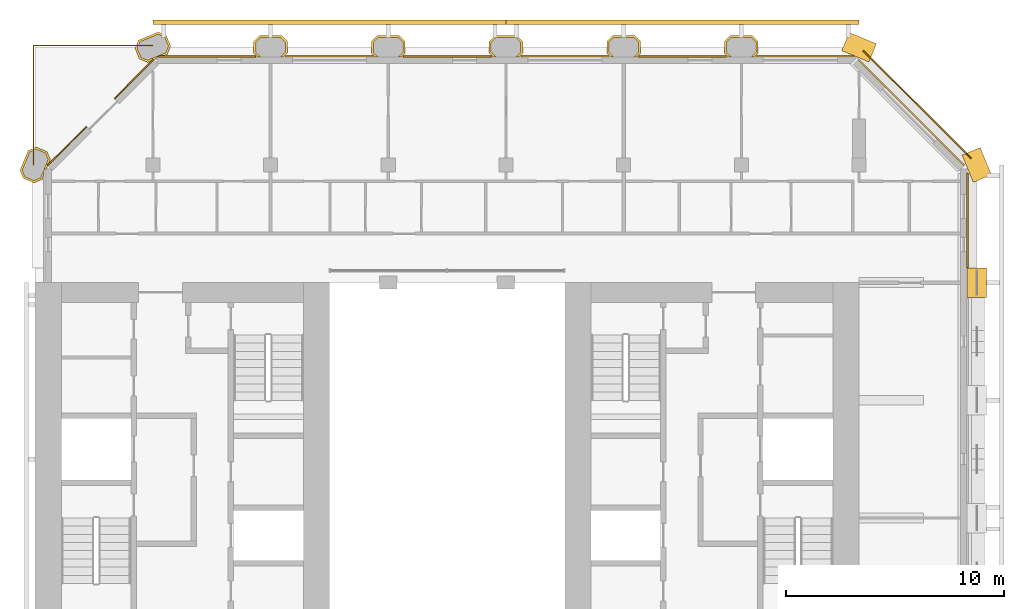
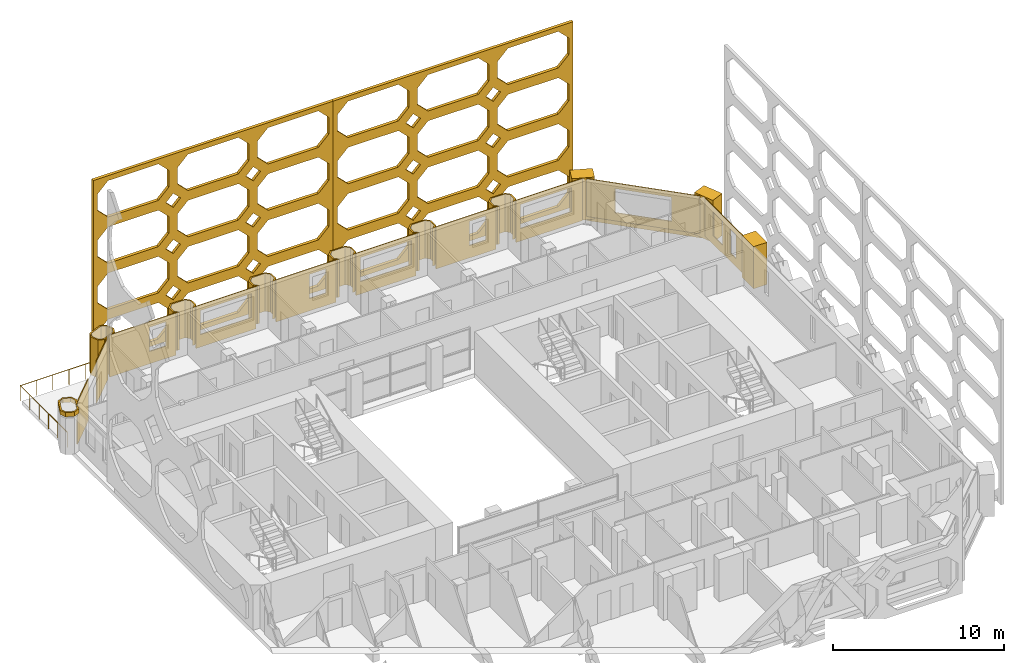
# One storey, part 15 of 15: 23 coverings, 1 railing.
"""IFC4 building model written with IfcOpenShell, lengths in metres."""

from ifc_helpers import new_model, si_unit, direction, frame, frame_2d, origin, origin_2d, place, context, subcontext, project, spatial, polyline, rectangle, circle, outline, extrude, material, layer, layer_set, type_object, element, save


model = new_model("IFC4")

# Units and contexts
model_context = context("Model", 3, precision=1e-05, world=origin(), true_north=direction((0.0, 1.0)))
body_context = subcontext(model_context, "Body", "Model", "MODEL_VIEW")
ifc_project = project(units=[si_unit("LENGTHUNIT", "METRE"), si_unit("AREAUNIT", "SQUARE_METRE"), si_unit("VOLUMEUNIT", "CUBIC_METRE"), si_unit("PLANEANGLEUNIT", "RADIAN"), si_unit("MASSUNIT", "GRAM", prefix="KILO")], contexts=[model_context])

# Site, building, storey
site_placement = place(None, origin())
site = spatial("IfcSite", under=ifc_project, at=site_placement, CompositionType="ELEMENT")
building_placement = place(site_placement, origin())
building = spatial("IfcBuilding", under=site, at=building_placement, Name="Tabaq Tower and Sports Hall", CompositionType="ELEMENT")
storey_placement = place(building_placement, frame((0.0, 0.0, 265.300048828125)))
storey = spatial("IfcBuildingStorey", under=building, at=storey_placement, Name="L64", CompositionType="ELEMENT", Elevation=265.300048828125)

# Coverings
ifc_material_1 = material(Name="Precast concrete C60/75", Category="concrete")
ifc_layer_1 = layer(ifc_material_1, 0.10009765625)
ifc_layer_set_1 = layer_set([ifc_layer_1], Name="Column cladding 100")
covering_type_1 = type_object("IfcCoveringType", Name="Column cladding 100", PredefinedType="CLADDING", material=ifc_layer_set_1)
covering_1_placement = place(storey_placement, frame((0.0, 0.0, 2.699951171875)))
element("IfcCovering", 1, at=covering_1_placement, inside=storey, type_object=covering_type_1, Name="Column cladding L64 PC-2H-R1 2", PredefinedType="CLADDING", context=body_context, shape_type="SweptSolid", body=[
    extrude(outline(polyline([(4.857421875, 37.186279296875), (4.7041015625, 37.556396484375), (5.080078125, 38.46435546875), (5.27978515625, 38.546875), (5.27978515625, 38.439208984375), (5.15625, 38.38818359375), (4.811767578125, 37.556396484375), (4.93359375, 37.26220703125), (5.349609375, 37.08984375), (5.643798828125, 37.2119140625), (5.98828125, 38.04345703125), (5.866455078125, 38.337646484375), (5.450439453125, 38.510009765625), (5.3603515625, 38.47265625), (5.3603515625, 38.580322265625), (5.450439453125, 38.61767578125), (5.9423828125, 38.413818359375), (6.095947265625, 38.04345703125), (6.026123046875, 37.875), (5.9501953125, 37.799072265625), (5.9501953125, 37.798828125), (5.9814453125, 37.767578125), (5.91796875, 37.614013671875), (5.849609375, 37.614013671875), (5.849609375, 37.55712890625), (5.789794921875, 37.55712890625), (5.789794921875, 37.304443359375), (5.7197265625, 37.1357421875), (5.349609375, 36.982421875), (4.857421875, 37.186279296875)])), origin(), (0.0, 0.0, 1.0), 0.300048828125),
])
covering_2_placement = place(storey_placement, frame((0.0, 0.0, 0.300048828125)))
element("IfcCovering", 2, at=covering_2_placement, inside=storey, type_object=covering_type_1, Name="Column cladding L64 PC-3I-R1", PredefinedType="CLADDING", context=body_context, shape_type="SweptSolid", body=[
    extrude(outline(polyline([(9.982421875, 43.149658203125), (10.019775390625, 43.23974609375), (10.127197265625, 43.23974609375), (10.08984375, 43.149658203125), (10.26220703125, 42.733642578125), (10.556396484375, 42.61181640625), (11.38818359375, 42.956298828125), (11.510009765625, 43.25048828125), (11.337646484375, 43.66650390625), (11.04345703125, 43.788330078125), (10.2119140625, 43.44384765625), (10.16064453125, 43.3203125), (10.052978515625, 43.3203125), (10.1357421875, 43.519775390625), (11.04345703125, 43.895751953125), (11.413818359375, 43.742431640625), (11.61767578125, 43.25048828125), (11.46435546875, 42.880126953125), (11.295654296875, 42.810302734375), (11.04296875, 42.810302734375), (11.04296875, 42.750244140625), (10.986083984375, 42.750244140625), (10.986083984375, 42.68212890625), (10.83251953125, 42.618408203125), (10.80126953125, 42.649658203125), (10.801025390625, 42.64990234375), (10.72509765625, 42.573974609375), (10.556396484375, 42.504150390625), (10.186279296875, 42.657470703125), (9.982421875, 43.149658203125)])), origin(), (0.0, 0.0, 1.0), 2.699951171875),
])
covering_3_placement = place(storey_placement, frame((0.0, 0.0, 0.300048828125)))
element("IfcCovering", 3, at=covering_3_placement, inside=storey, type_object=covering_type_1, Name="Column cladding L64 PC-4I-R1", PredefinedType="CLADDING", context=body_context, shape_type="SweptSolid", body=[
    extrude(outline(polyline([(15.42529296875, 43.46630859375), (15.708740234375, 43.749755859375), (16.69140625, 43.749755859375), (16.974609375, 43.46630859375), (16.974609375, 42.93359375), (16.791259765625, 42.750244140625), (16.650634765625, 42.750244140625), (16.875244140625, 42.974853515625), (16.875244140625, 43.425048828125), (16.650146484375, 43.650390625), (15.749755859375, 43.650390625), (15.524658203125, 43.425048828125), (15.524658203125, 42.974853515625), (15.749267578125, 42.750244140625), (15.608642578125, 42.750244140625), (15.42529296875, 42.93359375), (15.42529296875, 43.46630859375)])), origin(), (0.0, 0.0, 1.0), 2.699951171875),
])
covering_4_placement = place(storey_placement, frame((0.0, 0.0, 0.300048828125)))
element("IfcCovering", 4, at=covering_4_placement, inside=storey, type_object=covering_type_1, Name="Column cladding L64 PC-5I-R1", PredefinedType="CLADDING", context=body_context, shape_type="SweptSolid", body=[
    extrude(outline(polyline([(20.8251953125, 43.46630859375), (21.108642578125, 43.749755859375), (22.09130859375, 43.749755859375), (22.374755859375, 43.46630859375), (22.374755859375, 42.93359375), (22.19140625, 42.750244140625), (22.05078125, 42.750244140625), (22.275390625, 42.974853515625), (22.275390625, 43.425048828125), (22.050048828125, 43.650390625), (21.14990234375, 43.650390625), (20.9248046875, 43.425048828125), (20.9248046875, 42.974853515625), (21.149169921875, 42.750244140625), (21.0087890625, 42.750244140625), (20.8251953125, 42.93359375), (20.8251953125, 43.46630859375)])), origin(), (0.0, 0.0, 1.0), 2.699951171875),
])
covering_5_placement = place(storey_placement, frame((0.0, 0.0, 0.300048828125)))
element("IfcCovering", 5, at=covering_5_placement, inside=storey, type_object=covering_type_1, Name="Column cladding L64 PC-6I-R1", PredefinedType="CLADDING", context=body_context, shape_type="SweptSolid", body=[
    extrude(outline(polyline([(26.225341796875, 43.46630859375), (26.5087890625, 43.749755859375), (27.4912109375, 43.749755859375), (27.774658203125, 43.46630859375), (27.774658203125, 42.93359375), (27.59130859375, 42.750244140625), (27.45068359375, 42.750244140625), (27.67529296875, 42.974853515625), (27.67529296875, 43.425048828125), (27.4501953125, 43.650390625), (26.5498046875, 43.650390625), (26.32470703125, 43.425048828125), (26.32470703125, 42.974853515625), (26.54931640625, 42.750244140625), (26.40869140625, 42.750244140625), (26.225341796875, 42.93359375), (26.225341796875, 43.46630859375)])), origin(), (0.0, 0.0, 1.0), 2.699951171875),
])
covering_6_placement = place(storey_placement, frame((0.0, 0.0, 0.300048828125)))
element("IfcCovering", 6, at=covering_6_placement, inside=storey, type_object=covering_type_1, Name="Column cladding L64 PC-7I-R1", PredefinedType="CLADDING", context=body_context, shape_type="SweptSolid", body=[
    extrude(outline(polyline([(31.625244140625, 43.46630859375), (31.90869140625, 43.749755859375), (32.891357421875, 43.749755859375), (33.1748046875, 43.46630859375), (33.1748046875, 42.93359375), (32.9912109375, 42.750244140625), (32.850830078125, 42.750244140625), (33.0751953125, 42.974853515625), (33.0751953125, 43.425048828125), (32.85009765625, 43.650390625), (31.949951171875, 43.650390625), (31.724609375, 43.425048828125), (31.724609375, 42.974853515625), (31.94921875, 42.750244140625), (31.80859375, 42.750244140625), (31.625244140625, 42.93359375), (31.625244140625, 43.46630859375)])), origin(), (0.0, 0.0, 1.0), 2.699951171875),
])
covering_7_placement = place(storey_placement, frame((0.0, 0.0, 0.300048828125)))
element("IfcCovering", 7, at=covering_7_placement, inside=storey, type_object=covering_type_1, Name="Column cladding L64 PC-8I-R1", PredefinedType="CLADDING", context=body_context, shape_type="SweptSolid", body=[
    extrude(outline(polyline([(37.025390625, 43.46630859375), (37.30859375, 43.749755859375), (38.291259765625, 43.749755859375), (38.57470703125, 43.46630859375), (38.57470703125, 42.93359375), (38.391357421875, 42.750244140625), (38.250732421875, 42.750244140625), (38.475341796875, 42.974853515625), (38.475341796875, 43.425048828125), (38.250244140625, 43.650390625), (37.349853515625, 43.650390625), (37.124755859375, 43.425048828125), (37.124755859375, 42.974853515625), (37.349365234375, 42.750244140625), (37.208740234375, 42.750244140625), (37.025390625, 42.93359375), (37.025390625, 43.46630859375)])), origin(), (0.0, 0.0, 1.0), 2.699951171875),
])
ifc_material_2 = material(Name="Precast concrete C60/75", Category="concrete")
ifc_layer_2 = layer(ifc_material_2, 0.06005859375)
ifc_layer_set_2 = layer_set([ifc_layer_2], Name="Edge beam cladding 60")
covering_type_2 = type_object("IfcCoveringType", Name="Edge beam cladding 60", PredefinedType="CLADDING", material=ifc_layer_set_2)
covering_8_placement = place(storey_placement, frame((48.3369140625, 38.10546875, -0.300048828125), z_axis=(0.0, 0.0, 1.0), x_axis=(-0.707106781187, 0.707106781187, 0.0)))
element("IfcCovering", 8, at=covering_8_placement, inside=storey, type_object=covering_type_2, Name="Edge beam cladding L64 5", PredefinedType="CLADDING", context=body_context, shape_type="SweptSolid", body=[
    extrude(rectangle(XDim=6.98486328125, YDim=0.06005859375, at=frame_2d((3.492431640625, 0.0))), origin(), (0.0, 0.0, 1.0), 0.300048828125),
])

# Railing
ifc_material_3 = material(Name="Stainless steel S316 and laminated glass", Category="steel")
railing_type = type_object("IfcRailingType", Name="Guard 1100 steel and glass", PredefinedType="GUARDRAIL", material=ifc_material_3)
railing_placement = place(storey_placement, frame((5.320068359375, 37.800048828125, 0.0)))
element("IfcRailing", 9, at=railing_placement, inside=storey, type_object=railing_type, Name="Terrace guard L64", PredefinedType="GUARDRAIL", context=body_context, shape_type="SweptSolid", body=[
    extrude(circle(Radius=0.02490234375, at=origin_2d()), frame((0.0, 0.0, 1.0751953125), z_axis=(0.0, 1.0, 0.0), x_axis=(-1.0, 0.0, 0.0)), (0.0, 0.0, 1.0), 5.47998046875),
    extrude(circle(Radius=0.02490234375, at=origin_2d()), frame((0.0, 5.47998046875, 1.0751953125), z_axis=(1.0, 0.0, 0.0), x_axis=(0.0, 1.0, 0.0)), (0.0, 0.0, 1.0), 5.47998046875),
    extrude(circle(Radius=0.02001953125, at=origin_2d()), origin(), (0.0, 0.0, 1.0), 1.050048828125),
    extrude(circle(Radius=0.02001953125, at=origin_2d()), frame((0.0, 1.095947265625, 0.0)), (0.0, 0.0, 1.0), 1.050048828125),
    extrude(circle(Radius=0.02001953125, at=origin_2d()), frame((0.0, 2.19189453125, 0.0)), (0.0, 0.0, 1.0), 1.050048828125),
    extrude(circle(Radius=0.02001953125, at=origin_2d()), frame((0.0, 3.2880859375, 0.0)), (0.0, 0.0, 1.0), 1.050048828125),
    extrude(circle(Radius=0.02001953125, at=origin_2d()), frame((0.0, 4.384033203125, 0.0)), (0.0, 0.0, 1.0), 1.050048828125),
    extrude(circle(Radius=0.02001953125, at=origin_2d()), frame((0.0, 5.47998046875, 0.0)), (0.0, 0.0, 1.0), 1.050048828125),
    extrude(circle(Radius=0.02001953125, at=origin_2d()), frame((1.095947265625, 5.47998046875, 0.0)), (0.0, 0.0, 1.0), 1.050048828125),
    extrude(circle(Radius=0.02001953125, at=origin_2d()), frame((2.19189453125, 5.47998046875, 0.0)), (0.0, 0.0, 1.0), 1.050048828125),
    extrude(circle(Radius=0.02001953125, at=origin_2d()), frame((3.2880859375, 5.47998046875, 0.0)), (0.0, 0.0, 1.0), 1.050048828125),
    extrude(circle(Radius=0.02001953125, at=origin_2d()), frame((4.384033203125, 5.47998046875, 0.0)), (0.0, 0.0, 1.0), 1.050048828125),
    extrude(circle(Radius=0.02001953125, at=origin_2d()), frame((5.47998046875, 5.47998046875, 0.0)), (0.0, 0.0, 1.0), 1.050048828125),
])

# Coverings
ifc_material_4 = material(Name="White precast concrete C60/75", Category="concrete")
covering_type_3 = type_object("IfcCoveringType", Name="Pier cladding hung 1350x900", PredefinedType="CLADDING", material=ifc_material_4)
covering_9_placement = place(storey_placement, frame((43.82373046875, 42.941650390625, 0.0), z_axis=(0.0, 0.0, 1.0), x_axis=(-0.923893411637, 0.382649923473, 0.0)))
element("IfcCovering", 10, at=covering_9_placement, inside=storey, type_object=covering_type_3, Name="Hung pier cladding 8/8", PredefinedType="CLADDING", context=body_context, shape_type="SweptSolid", body=[
    extrude(rectangle(XDim=1.35009765625, YDim=0.89990234375, at=frame_2d((0.675048828125, 0.0))), origin(), (0.0, 0.0, 1.0), 3.0),
])
covering_10_placement = place(storey_placement, frame((48.60009765625, 31.72509765625, 0.0), z_axis=(0.0, 0.0, 1.0), x_axis=(0.0, 1.0, 0.0)))
element("IfcCovering", 11, at=covering_10_placement, inside=storey, type_object=covering_type_3, Name="Hung pier cladding 9/6", PredefinedType="CLADDING", context=body_context, shape_type="SweptSolid", body=[
    extrude(rectangle(XDim=1.349853515625, YDim=0.89990234375, at=frame_2d((0.6748046875, 0.0))), origin(), (0.0, 0.0, 1.0), 3.0),
])
covering_11_placement = place(storey_placement, frame((48.8583984375, 37.17626953125, 0.0), z_axis=(0.0, 0.0, 1.0), x_axis=(-0.382649923473, 0.923893411637, 0.0)))
element("IfcCovering", 12, at=covering_11_placement, inside=storey, type_object=covering_type_3, Name="Hung pier cladding 9/7", PredefinedType="CLADDING", context=body_context, shape_type="SweptSolid", body=[
    extrude(rectangle(XDim=1.35009765625, YDim=0.89990234375, at=frame_2d((0.675048828125, 0.0))), origin(), (0.0, 0.0, 1.0), 3.0),
])
ifc_material_5 = material(Name="White precast concrete C60/75 pierced screen", Category="concrete")
ifc_layer_3 = layer(ifc_material_5, 0.199951171875)
ifc_layer_set_3 = layer_set([ifc_layer_3], Name="TRACERY SCREEN 200 C60/75")
covering_type_4 = type_object("IfcCoveringType", Name="TRACERY SCREEN 200 C60/75", PredefinedType="CLADDING", material=ifc_layer_set_3)
covering_12_placement = place(storey_placement, frame((43.199951171875, 44.35009765625, 0.0), z_axis=(0.0, 0.0, 1.0), x_axis=(-1.0, 0.0, 0.0)))
element("IfcCovering", 13, at=covering_12_placement, inside=storey, type_object=covering_type_4, Name="Tracery screen R1 N L64-L67", PredefinedType="CLADDING", context=body_context, shape_type="SweptSolid", body=[
    extrude(outline(polyline([(0.0, 0.0), (16.199951171875, 0.0), (16.199951171875, 13.199951171875), (0.0, 13.199951171875), (0.0, 0.0)]), holes=[polyline([(1.0, 0.349853515625), (4.39990234375, 0.349853515625), (5.10009765625, 1.050048828125), (5.10009765625, 2.25), (4.39990234375, 2.949951171875), (1.0, 2.949951171875), (0.300048828125, 2.25), (0.300048828125, 1.050048828125), (1.0, 0.349853515625)]), polyline([(6.39990234375, 0.349853515625), (9.800048828125, 0.349853515625), (10.5, 1.050048828125), (10.5, 2.25), (9.800048828125, 2.949951171875), (6.39990234375, 2.949951171875), (5.699951171875, 2.25), (5.699951171875, 1.050048828125), (6.39990234375, 0.349853515625)]), polyline([(11.800048828125, 0.349853515625), (15.199951171875, 0.349853515625), (15.89990234375, 1.050048828125), (15.89990234375, 2.25), (15.199951171875, 2.949951171875), (11.800048828125, 2.949951171875), (11.10009765625, 2.25), (11.10009765625, 1.050048828125), (11.800048828125, 0.349853515625)]), polyline([(1.0, 3.64990234375), (4.39990234375, 3.64990234375), (5.10009765625, 4.349853515625), (5.10009765625, 5.550048828125), (4.39990234375, 6.25), (1.0, 6.25), (0.300048828125, 5.550048828125), (0.300048828125, 4.349853515625), (1.0, 3.64990234375)]), polyline([(6.39990234375, 3.64990234375), (9.800048828125, 3.64990234375), (10.5, 4.349853515625), (10.5, 5.550048828125), (9.800048828125, 6.25), (6.39990234375, 6.25), (5.699951171875, 5.550048828125), (5.699951171875, 4.349853515625), (6.39990234375, 3.64990234375)]), polyline([(11.800048828125, 3.64990234375), (15.199951171875, 3.64990234375), (15.89990234375, 4.349853515625), (15.89990234375, 5.550048828125), (15.199951171875, 6.25), (11.800048828125, 6.25), (11.10009765625, 5.550048828125), (11.10009765625, 4.349853515625), (11.800048828125, 3.64990234375)]), polyline([(1.0, 6.949951171875), (4.39990234375, 6.949951171875), (5.10009765625, 7.64990234375), (5.10009765625, 8.849853515625), (4.39990234375, 9.550048828125), (1.0, 9.550048828125), (0.300048828125, 8.849853515625), (0.300048828125, 7.64990234375), (1.0, 6.949951171875)]), polyline([(6.39990234375, 6.949951171875), (9.800048828125, 6.949951171875), (10.5, 7.64990234375), (10.5, 8.849853515625), (9.800048828125, 9.550048828125), (6.39990234375, 9.550048828125), (5.699951171875, 8.849853515625), (5.699951171875, 7.64990234375), (6.39990234375, 6.949951171875)]), polyline([(11.800048828125, 6.949951171875), (15.199951171875, 6.949951171875), (15.89990234375, 7.64990234375), (15.89990234375, 8.849853515625), (15.199951171875, 9.550048828125), (11.800048828125, 9.550048828125), (11.10009765625, 8.849853515625), (11.10009765625, 7.64990234375), (11.800048828125, 6.949951171875)]), polyline([(1.0, 10.25), (4.39990234375, 10.25), (5.10009765625, 10.949951171875), (5.10009765625, 12.14990234375), (4.39990234375, 12.849853515625), (1.0, 12.849853515625), (0.300048828125, 12.14990234375), (0.300048828125, 10.949951171875), (1.0, 10.25)]), polyline([(6.39990234375, 10.25), (9.800048828125, 10.25), (10.5, 10.949951171875), (10.5, 12.14990234375), (9.800048828125, 12.849853515625), (6.39990234375, 12.849853515625), (5.699951171875, 12.14990234375), (5.699951171875, 10.949951171875), (6.39990234375, 10.25)]), polyline([(11.800048828125, 10.25), (15.199951171875, 10.25), (15.89990234375, 10.949951171875), (15.89990234375, 12.14990234375), (15.199951171875, 12.849853515625), (11.800048828125, 12.849853515625), (11.10009765625, 12.14990234375), (11.10009765625, 10.949951171875), (11.800048828125, 10.25)]), polyline([(5.89990234375, 3.300048828125), (5.39990234375, 3.800048828125), (4.89990234375, 3.300048828125), (5.39990234375, 2.800048828125), (5.89990234375, 3.300048828125)]), polyline([(11.300048828125, 3.300048828125), (10.800048828125, 3.800048828125), (10.300048828125, 3.300048828125), (10.800048828125, 2.800048828125), (11.300048828125, 3.300048828125)]), polyline([(5.89990234375, 6.599853515625), (5.39990234375, 7.099853515625), (4.89990234375, 6.599853515625), (5.39990234375, 6.099853515625), (5.89990234375, 6.599853515625)]), polyline([(11.300048828125, 6.599853515625), (10.800048828125, 7.099853515625), (10.300048828125, 6.599853515625), (10.800048828125, 6.099853515625), (11.300048828125, 6.599853515625)]), polyline([(5.89990234375, 9.89990234375), (5.39990234375, 10.39990234375), (4.89990234375, 9.89990234375), (5.39990234375, 9.39990234375), (5.89990234375, 9.89990234375)]), polyline([(11.300048828125, 9.89990234375), (10.800048828125, 10.39990234375), (10.300048828125, 9.89990234375), (10.800048828125, 9.39990234375), (11.300048828125, 9.89990234375)])]), frame((0.0, 0.10009765625, 0.0), z_axis=(0.0, -1.0, 0.0), x_axis=(1.0, 0.0, 0.0)), (0.0, 0.0, 1.0), 0.199951171875),
])
covering_13_placement = place(storey_placement, frame((27.0, 44.35009765625, 0.0), z_axis=(0.0, 0.0, 1.0), x_axis=(-1.0, 0.0, 0.0)))
element("IfcCovering", 14, at=covering_13_placement, inside=storey, type_object=covering_type_4, Name="Tracery screen R1 N L64-L67", PredefinedType="CLADDING", context=body_context, shape_type="SweptSolid", body=[
    extrude(outline(polyline([(0.0, 0.0), (16.199951171875, 0.0), (16.199951171875, 13.199951171875), (0.0, 13.199951171875), (0.0, 0.0)]), holes=[polyline([(1.0, 0.349853515625), (4.39990234375, 0.349853515625), (5.10009765625, 1.050048828125), (5.10009765625, 2.25), (4.39990234375, 2.949951171875), (1.0, 2.949951171875), (0.300048828125, 2.25), (0.300048828125, 1.050048828125), (1.0, 0.349853515625)]), polyline([(6.39990234375, 0.349853515625), (9.800048828125, 0.349853515625), (10.5, 1.050048828125), (10.5, 2.25), (9.800048828125, 2.949951171875), (6.39990234375, 2.949951171875), (5.699951171875, 2.25), (5.699951171875, 1.050048828125), (6.39990234375, 0.349853515625)]), polyline([(11.800048828125, 0.349853515625), (15.199951171875, 0.349853515625), (15.89990234375, 1.050048828125), (15.89990234375, 2.25), (15.199951171875, 2.949951171875), (11.800048828125, 2.949951171875), (11.10009765625, 2.25), (11.10009765625, 1.050048828125), (11.800048828125, 0.349853515625)]), polyline([(1.0, 3.64990234375), (4.39990234375, 3.64990234375), (5.10009765625, 4.349853515625), (5.10009765625, 5.550048828125), (4.39990234375, 6.25), (1.0, 6.25), (0.300048828125, 5.550048828125), (0.300048828125, 4.349853515625), (1.0, 3.64990234375)]), polyline([(6.39990234375, 3.64990234375), (9.800048828125, 3.64990234375), (10.5, 4.349853515625), (10.5, 5.550048828125), (9.800048828125, 6.25), (6.39990234375, 6.25), (5.699951171875, 5.550048828125), (5.699951171875, 4.349853515625), (6.39990234375, 3.64990234375)]), polyline([(11.800048828125, 3.64990234375), (15.199951171875, 3.64990234375), (15.89990234375, 4.349853515625), (15.89990234375, 5.550048828125), (15.199951171875, 6.25), (11.800048828125, 6.25), (11.10009765625, 5.550048828125), (11.10009765625, 4.349853515625), (11.800048828125, 3.64990234375)]), polyline([(1.0, 6.949951171875), (4.39990234375, 6.949951171875), (5.10009765625, 7.64990234375), (5.10009765625, 8.849853515625), (4.39990234375, 9.550048828125), (1.0, 9.550048828125), (0.300048828125, 8.849853515625), (0.300048828125, 7.64990234375), (1.0, 6.949951171875)]), polyline([(6.39990234375, 6.949951171875), (9.800048828125, 6.949951171875), (10.5, 7.64990234375), (10.5, 8.849853515625), (9.800048828125, 9.550048828125), (6.39990234375, 9.550048828125), (5.699951171875, 8.849853515625), (5.699951171875, 7.64990234375), (6.39990234375, 6.949951171875)]), polyline([(11.800048828125, 6.949951171875), (15.199951171875, 6.949951171875), (15.89990234375, 7.64990234375), (15.89990234375, 8.849853515625), (15.199951171875, 9.550048828125), (11.800048828125, 9.550048828125), (11.10009765625, 8.849853515625), (11.10009765625, 7.64990234375), (11.800048828125, 6.949951171875)]), polyline([(1.0, 10.25), (4.39990234375, 10.25), (5.10009765625, 10.949951171875), (5.10009765625, 12.14990234375), (4.39990234375, 12.849853515625), (1.0, 12.849853515625), (0.300048828125, 12.14990234375), (0.300048828125, 10.949951171875), (1.0, 10.25)]), polyline([(6.39990234375, 10.25), (9.800048828125, 10.25), (10.5, 10.949951171875), (10.5, 12.14990234375), (9.800048828125, 12.849853515625), (6.39990234375, 12.849853515625), (5.699951171875, 12.14990234375), (5.699951171875, 10.949951171875), (6.39990234375, 10.25)]), polyline([(11.800048828125, 10.25), (15.199951171875, 10.25), (15.89990234375, 10.949951171875), (15.89990234375, 12.14990234375), (15.199951171875, 12.849853515625), (11.800048828125, 12.849853515625), (11.10009765625, 12.14990234375), (11.10009765625, 10.949951171875), (11.800048828125, 10.25)]), polyline([(5.89990234375, 3.300048828125), (5.39990234375, 3.800048828125), (4.89990234375, 3.300048828125), (5.39990234375, 2.800048828125), (5.89990234375, 3.300048828125)]), polyline([(11.300048828125, 3.300048828125), (10.800048828125, 3.800048828125), (10.300048828125, 3.300048828125), (10.800048828125, 2.800048828125), (11.300048828125, 3.300048828125)]), polyline([(5.89990234375, 6.599853515625), (5.39990234375, 7.099853515625), (4.89990234375, 6.599853515625), (5.39990234375, 6.099853515625), (5.89990234375, 6.599853515625)]), polyline([(11.300048828125, 6.599853515625), (10.800048828125, 7.099853515625), (10.300048828125, 6.599853515625), (10.800048828125, 6.099853515625), (11.300048828125, 6.599853515625)]), polyline([(5.89990234375, 9.89990234375), (5.39990234375, 10.39990234375), (4.89990234375, 9.89990234375), (5.39990234375, 9.39990234375), (5.89990234375, 9.89990234375)]), polyline([(11.300048828125, 9.89990234375), (10.800048828125, 10.39990234375), (10.300048828125, 9.89990234375), (10.800048828125, 9.39990234375), (11.300048828125, 9.89990234375)])]), frame((0.0, 0.10009765625, 0.0), z_axis=(0.0, -1.0, 0.0), x_axis=(1.0, 0.0, 0.0)), (0.0, 0.0, 1.0), 0.199951171875),
])
ifc_material_6 = material(Name="Precast concrete C60/75", Category="concrete")
ifc_layer_4 = layer(ifc_material_6, 0.06005859375)
ifc_layer_set_4 = layer_set([ifc_layer_4], Name="White precast cladding panel 60 C60/75")
covering_type_5 = type_object("IfcCoveringType", Name="White precast cladding panel 60 C60/75", PredefinedType="CLADDING", material=ifc_layer_set_4)
covering_14_placement = place(storey_placement, frame((48.179931640625, 33.0849609375, 0.31005859375), z_axis=(0.0, 0.0, 1.0), x_axis=(0.0, 1.0, 0.0)))
element("IfcCovering", 15, at=covering_14_placement, inside=storey, type_object=covering_type_5, Name="White precast cladding panel L64 wall02 6", PredefinedType="CLADDING", context=body_context, shape_type="SweptSolid", body=[
    extrude(outline(polyline([(0.0, 0.0), (4.322998046875, 0.0), (4.322998046875, 2.68994140625), (0.0, 2.68994140625), (0.0, 0.0)]), holes=[polyline([(0.72998046875, 2.2998046875), (1.39990234375, 2.2998046875), (1.39990234375, 0.579833984375), (0.72998046875, 0.579833984375), (0.72998046875, 2.2998046875)]), polyline([(2.2548828125, 2.2998046875), (3.375, 2.2998046875), (3.375, 0.579833984375), (2.2548828125, 0.579833984375), (2.2548828125, 2.2998046875)])]), frame((0.0, 0.030029296875, 0.0), z_axis=(0.0, -1.0, 0.0), x_axis=(1.0, 0.0, 0.0)), (0.0, 0.0, 1.0), 0.06005859375),
])
covering_15_placement = place(storey_placement, frame((48.02587890625, 37.7802734375, 0.31005859375), z_axis=(0.0, 0.0, 1.0), x_axis=(-0.707124585489, 0.707088976436, 0.0)))
element("IfcCovering", 16, at=covering_15_placement, inside=storey, type_object=covering_type_5, Name="White precast cladding panel L64 wall03", PredefinedType="CLADDING", context=body_context, shape_type="SweptSolid", body=[
    extrude(outline(polyline([(0.0, 0.0), (6.856201171875, 0.0), (6.856201171875, 2.68994140625), (0.0, 2.68994140625), (0.0, 0.0)]), holes=[polyline([(1.71630859375, 0.579833984375), (1.71630859375, 2.2998046875), (5.13623046875, 2.2998046875), (5.13623046875, 0.579833984375), (1.71630859375, 0.579833984375)])]), frame((0.0, 0.030029296875, 0.0), z_axis=(0.0, -1.0, 0.0), x_axis=(1.0, 0.0, 0.0)), (0.0, 0.0, 1.0), 0.06005859375),
])
covering_16_placement = place(storey_placement, frame((42.956787109375, 42.780029296875, 0.0), z_axis=(0.0, 0.0, 1.0), x_axis=(-1.0, 0.0, 0.0)))
element("IfcCovering", 17, at=covering_16_placement, inside=storey, type_object=covering_type_5, Name="White precast cladding panel L64 wall04", PredefinedType="CLADDING", context=body_context, shape_type="SweptSolid", body=[
    extrude(outline(polyline([(0.0, 0.0), (4.4716796875, 0.0), (4.4716796875, 3.0), (0.0, 3.0), (0.0, 0.0)]), holes=[polyline([(0.746826171875, 0.889892578125), (0.746826171875, 2.60986328125), (4.166748046875, 2.60986328125), (4.166748046875, 0.889892578125), (0.746826171875, 0.889892578125)])]), frame((0.0, 0.030029296875, 0.0), z_axis=(0.0, -1.0, 0.0), x_axis=(1.0, 0.0, 0.0)), (0.0, 0.0, 1.0), 0.06005859375),
])
covering_17_placement = place(storey_placement, frame((37.114990234375, 42.780029296875, 0.0), z_axis=(0.0, 0.0, 1.0), x_axis=(-1.0, 0.0, 0.0)))
element("IfcCovering", 18, at=covering_17_placement, inside=storey, type_object=covering_type_5, Name="White precast cladding panel L64 wall04 2", PredefinedType="CLADDING", context=body_context, shape_type="SweptSolid", body=[
    extrude(outline(polyline([(0.0, 0.0), (4.030029296875, 0.0), (4.030029296875, 3.0), (0.0, 3.0), (0.0, 0.0)]), holes=[polyline([(0.655029296875, 0.889892578125), (0.655029296875, 2.60986328125), (1.77490234375, 2.60986328125), (1.77490234375, 0.889892578125), (0.655029296875, 0.889892578125)])]), frame((0.0, 0.030029296875, 0.0), z_axis=(0.0, -1.0, 0.0), x_axis=(1.0, 0.0, 0.0)), (0.0, 0.0, 1.0), 0.06005859375),
])
covering_18_placement = place(storey_placement, frame((31.715087890625, 42.780029296875, 0.0), z_axis=(0.0, 0.0, 1.0), x_axis=(-1.0, 0.0, 0.0)))
element("IfcCovering", 19, at=covering_18_placement, inside=storey, type_object=covering_type_5, Name="White precast cladding panel L64 wall04 3", PredefinedType="CLADDING", context=body_context, shape_type="SweptSolid", body=[
    extrude(outline(polyline([(0.0, 0.0), (4.030029296875, 0.0), (4.030029296875, 3.0), (0.0, 3.0), (0.0, 0.0)]), holes=[polyline([(0.304931640625, 0.889892578125), (0.304931640625, 2.60986328125), (3.72509765625, 2.60986328125), (3.72509765625, 0.889892578125), (0.304931640625, 0.889892578125)])]), frame((0.0, 0.030029296875, 0.0), z_axis=(0.0, -1.0, 0.0), x_axis=(1.0, 0.0, 0.0)), (0.0, 0.0, 1.0), 0.06005859375),
])
covering_19_placement = place(storey_placement, frame((26.31494140625, 42.780029296875, 0.0), z_axis=(0.0, 0.0, 1.0), x_axis=(-1.0, 0.0, 0.0)))
element("IfcCovering", 20, at=covering_19_placement, inside=storey, type_object=covering_type_5, Name="White precast cladding panel L64 wall04 4", PredefinedType="CLADDING", context=body_context, shape_type="SweptSolid", body=[
    extrude(outline(polyline([(0.0, 0.0), (4.030029296875, 0.0), (4.030029296875, 3.0), (0.0, 3.0), (0.0, 0.0)]), holes=[polyline([(0.655029296875, 0.889892578125), (0.655029296875, 2.60986328125), (1.77490234375, 2.60986328125), (1.77490234375, 0.889892578125), (0.655029296875, 0.889892578125)])]), frame((0.0, 0.030029296875, 0.0), z_axis=(0.0, -1.0, 0.0), x_axis=(1.0, 0.0, 0.0)), (0.0, 0.0, 1.0), 0.06005859375),
])
covering_20_placement = place(storey_placement, frame((20.9150390625, 42.780029296875, 0.0), z_axis=(0.0, 0.0, 1.0), x_axis=(-1.0, 0.0, 0.0)))
element("IfcCovering", 21, at=covering_20_placement, inside=storey, type_object=covering_type_5, Name="White precast cladding panel L64 wall04 5", PredefinedType="CLADDING", context=body_context, shape_type="SweptSolid", body=[
    extrude(outline(polyline([(0.0, 0.0), (4.030029296875, 0.0), (4.030029296875, 3.0), (0.0, 3.0), (0.0, 0.0)]), holes=[polyline([(0.304931640625, 0.889892578125), (0.304931640625, 2.60986328125), (3.72509765625, 2.60986328125), (3.72509765625, 0.889892578125), (0.304931640625, 0.889892578125)])]), frame((0.0, 0.030029296875, 0.0), z_axis=(0.0, -1.0, 0.0), x_axis=(1.0, 0.0, 0.0)), (0.0, 0.0, 1.0), 0.06005859375),
])
covering_21_placement = place(storey_placement, frame((15.514892578125, 42.780029296875, 0.0), z_axis=(0.0, 0.0, 1.0), x_axis=(-1.0, 0.0, 0.0)))
element("IfcCovering", 22, at=covering_21_placement, inside=storey, type_object=covering_type_5, Name="White precast cladding panel L64 wall04 6", PredefinedType="CLADDING", context=body_context, shape_type="SweptSolid", body=[
    extrude(outline(polyline([(0.0, 0.0), (4.4716796875, 0.0), (4.4716796875, 3.0), (0.0, 3.0), (0.0, 0.0)]), holes=[polyline([(0.655029296875, 0.889892578125), (0.655029296875, 2.60986328125), (1.77490234375, 2.60986328125), (1.77490234375, 0.889892578125), (0.655029296875, 0.889892578125)])]), frame((0.0, 0.030029296875, 0.0), z_axis=(0.0, -1.0, 0.0), x_axis=(1.0, 0.0, 0.0)), (0.0, 0.0, 1.0), 0.06005859375),
])
for number, where, z_axis, x_axis, name in (
    (23, (10.822265625, 42.628173828125, 0.0), (0.0, 0.0, 1.0), (-0.707106781187, -0.707106781187, 0.0), "White precast cladding panel L64 wall05"),
    (24, (7.75341796875, 39.5595703125, 0.0), (0.0, 0.0, 1.0), (-0.707106781187, -0.707106781187, 0.0), "White precast cladding panel L64 wall05 2"),
):
    element("IfcCovering", number, at=place(storey_placement, frame(where, z_axis=z_axis, x_axis=x_axis)), inside=storey, type_object=covering_type_5, Name=name, PredefinedType="CLADDING", context=body_context, shape_type="SweptSolid", body=[
        extrude(rectangle(XDim=2.519775390625, YDim=0.06005859375, at=frame_2d((1.259765625, 0.0))), origin(), (0.0, 0.0, 1.0), 3.0),
    ])

save(model, "model.ifc")
